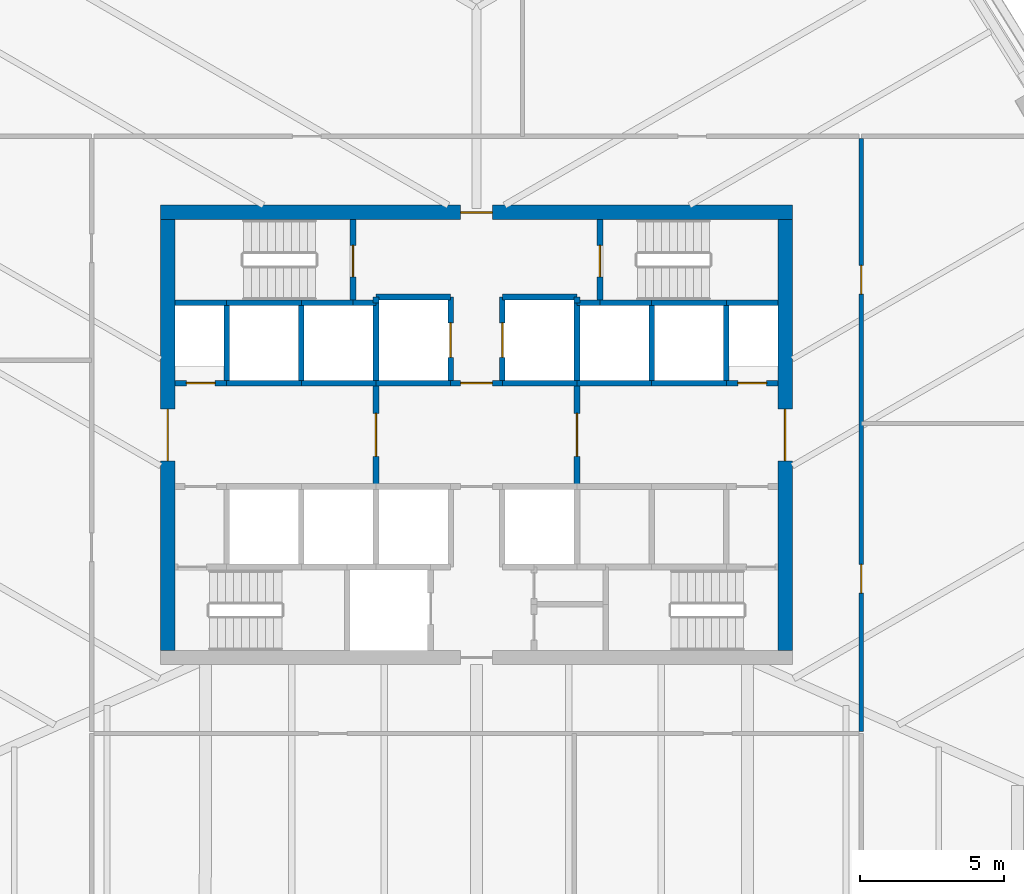
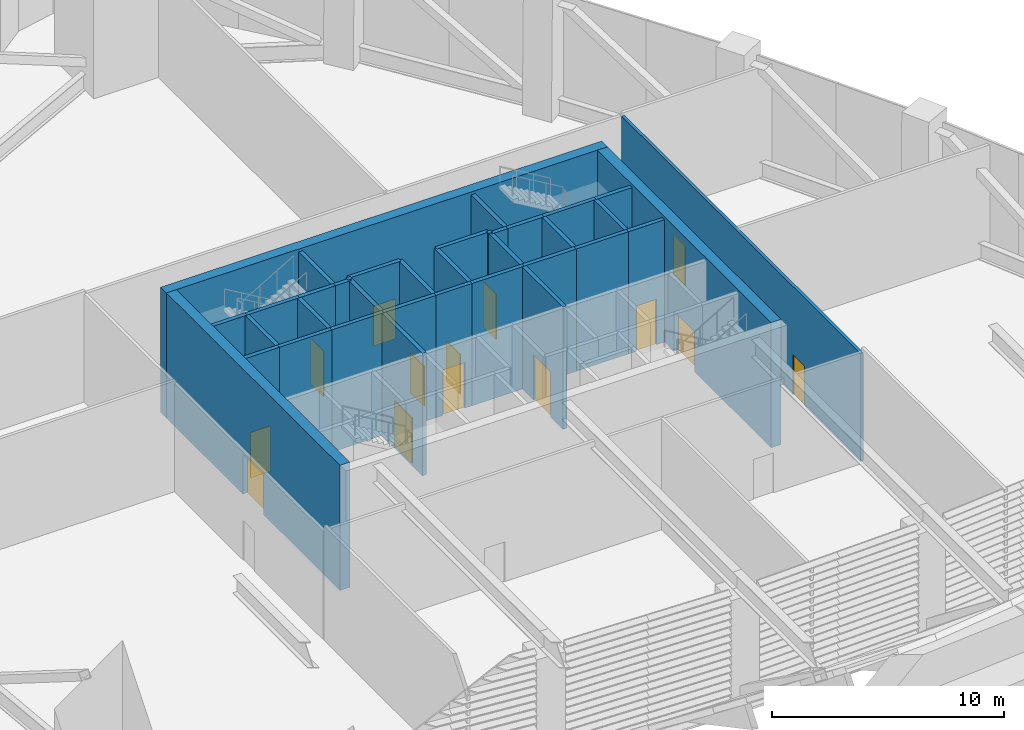
# One storey, part 5 of 15: 37 walls, 14 doors, 14 openings.
"""IFC4 building model written with IfcOpenShell, lengths in metres."""

from ifc_helpers import new_model, si_unit, direction, frame, frame_2d, origin, place, context, subcontext, project, spatial, rectangle, extrude, material, layer, layer_set, type_object, element, fill, save


model = new_model("IFC4")

# Units and contexts
model_context = context("Model", 3, precision=1e-05, world=origin(), true_north=direction((0.0, 1.0)))
body_context = subcontext(model_context, "Body", "Model", "MODEL_VIEW")
ifc_project = project(units=[si_unit("LENGTHUNIT", "METRE"), si_unit("AREAUNIT", "SQUARE_METRE"), si_unit("VOLUMEUNIT", "CUBIC_METRE"), si_unit("PLANEANGLEUNIT", "RADIAN"), si_unit("MASSUNIT", "GRAM", prefix="KILO")], contexts=[model_context])

# Site, building, storey
site_placement = place(None, origin())
site = spatial("IfcSite", under=ifc_project, at=site_placement, CompositionType="ELEMENT")
building_placement = place(site_placement, origin())
building = spatial("IfcBuilding", under=site, at=building_placement, Name="Sierra Prisma Convention Tower", CompositionType="ELEMENT")
storey_placement = place(building_placement, frame((0.0, 0.0, 34.199951171875)))
storey = spatial("IfcBuildingStorey", under=building, at=storey_placement, Name="L05", CompositionType="ELEMENT", Elevation=34.199951171875)

# Wall, opening, door
ifc_material_1 = material(Name="Concrete C30/37", Category="concrete")
ifc_layer_1 = layer(ifc_material_1, 0.199951171875)
ifc_layer_set_1 = layer_set([ifc_layer_1], Name="Core wall RC 200 C30/37")
wall_type_1 = type_object("IfcWallType", Name="Core wall RC 200 C30/37", PredefinedType="SOLIDWALL", material=ifc_layer_set_1)
wall_1_placement = place(storey_placement, frame((-8.699951171875, 1.800048828125, 0.0), z_axis=(0.0, 0.0, 1.0), x_axis=(-1.0, 0.0, 0.0)))
wall_1 = element("IfcWall", 1, at=wall_1_placement, inside=storey, type_object=wall_type_1, Name="Core wall L05 3", PredefinedType="SOLIDWALL", context=body_context, shape_type="SweptSolid", body=[
    extrude(rectangle(XDim=1.800048828125, YDim=0.199951171875, at=frame_2d((0.89990234375, 0.0))), origin(), (0.0, 0.0, 1.0), 6.449951171875),
])
opening_1_placement = place(wall_1_placement, frame((0.39990234375, 0.0, 0.0)))
opening_1 = element("IfcOpeningElement", 2, at=opening_1_placement, cuts=wall_1, Name="Opening L05-D010", PredefinedType="OPENING", context=body_context, shape_type="SweptSolid", body=[
    extrude(rectangle(XDim=1.0, YDim=2.39990234375, at=frame_2d((0.5, 1.199951171875))), frame((0.0, 0.10009765625, 0.0), z_axis=(0.0, -1.0, 0.0), x_axis=(1.0, 0.0, 0.0)), (0.0, 0.0, 1.0), 0.199951171875),
])
ifc_material_2 = material(Name="Steel fire door leaf", Category="steel")
door_type_1 = type_object("IfcDoorType", Name="Door 1000x2400 FD60S", OperationType="SINGLE_SWING_LEFT", PredefinedType="DOOR", material=ifc_material_2)
door_1_placement = place(opening_1_placement, origin())
door_1 = element("IfcDoor", 3, at=door_1_placement, inside=storey, type_object=door_type_1, Name="Door L05 18", OperationType="SINGLE_SWING_LEFT", OverallHeight=2.39990234375, OverallWidth=1.0, PredefinedType="DOOR", context=body_context, shape_type="SweptSolid", body=[
    extrude(rectangle(XDim=1.0, YDim=2.39990234375, at=frame_2d((0.5, 1.199951171875))), frame((0.0, 0.02490234375, 0.0), z_axis=(0.0, -1.0, 0.0), x_axis=(1.0, 0.0, 0.0)), (0.0, 0.0, 1.0), 0.050048828125),
])
fill(opening_1, door_1)

# Walls
wall_2_placement = place(storey_placement, frame((-8.699951171875, 4.60009765625, 0.0), z_axis=(0.0, 0.0, 1.0), x_axis=(-1.0, 0.0, 0.0)))
element("IfcWall", 4, at=wall_2_placement, inside=storey, type_object=wall_type_1, Name="Core wall L05 4", PredefinedType="SOLIDWALL", context=body_context, shape_type="SweptSolid", body=[
    extrude(rectangle(XDim=1.800048828125, YDim=0.199951171875, at=frame_2d((0.89990234375, 0.0))), origin(), (0.0, 0.0, 1.0), 6.449951171875),
])
wall_3_placement = place(storey_placement, frame((-6.10009765625, 1.800048828125, 0.0), z_axis=(0.0, 0.0, 1.0), x_axis=(-1.0, 0.0, 0.0)))
element("IfcWall", 5, at=wall_3_placement, inside=storey, type_object=wall_type_1, Name="Core wall L05 8", PredefinedType="SOLIDWALL", context=body_context, shape_type="SweptSolid", body=[
    extrude(rectangle(XDim=2.599853515625, YDim=0.199951171875, at=frame_2d((1.2998046875, 0.0))), origin(), (0.0, 0.0, 1.0), 6.449951171875),
])
wall_4_placement = place(storey_placement, frame((-8.699951171875, 1.800048828125, 0.0), z_axis=(0.0, 0.0, 1.0), x_axis=(0.0, 1.0, 0.0)))
element("IfcWall", 6, at=wall_4_placement, inside=storey, type_object=wall_type_1, Name="Core wall L05 9", PredefinedType="SOLIDWALL", context=body_context, shape_type="SweptSolid", body=[
    extrude(rectangle(XDim=2.800048828125, YDim=0.199951171875, at=frame_2d((1.39990234375, 0.0))), origin(), (0.0, 0.0, 1.0), 6.449951171875),
])
wall_5_placement = place(storey_placement, frame((-6.10009765625, 4.60009765625, 0.0), z_axis=(0.0, 0.0, 1.0), x_axis=(-1.0, 0.0, 0.0)))
element("IfcWall", 7, at=wall_5_placement, inside=storey, type_object=wall_type_1, Name="Core wall L05 10", PredefinedType="SOLIDWALL", context=body_context, shape_type="SweptSolid", body=[
    extrude(rectangle(XDim=2.599853515625, YDim=0.199951171875, at=frame_2d((1.2998046875, 0.0))), origin(), (0.0, 0.0, 1.0), 6.449951171875),
])
wall_6_placement = place(storey_placement, frame((-3.5, 1.800048828125, 0.0), z_axis=(0.0, 0.0, 1.0), x_axis=(-1.0, 0.0, 0.0)))
element("IfcWall", 8, at=wall_6_placement, inside=storey, type_object=wall_type_1, Name="Core wall L05 14", PredefinedType="SOLIDWALL", context=body_context, shape_type="SweptSolid", body=[
    extrude(rectangle(XDim=2.60009765625, YDim=0.199951171875, at=frame_2d((1.300048828125, 0.0))), origin(), (0.0, 0.0, 1.0), 6.449951171875),
])
wall_7_placement = place(storey_placement, frame((-6.10009765625, 1.800048828125, 0.0), z_axis=(0.0, 0.0, 1.0), x_axis=(0.0, 1.0, 0.0)))
element("IfcWall", 9, at=wall_7_placement, inside=storey, type_object=wall_type_1, Name="Core wall L05 15", PredefinedType="SOLIDWALL", context=body_context, shape_type="SweptSolid", body=[
    extrude(rectangle(XDim=2.800048828125, YDim=0.199951171875, at=frame_2d((1.39990234375, 0.0))), origin(), (0.0, 0.0, 1.0), 6.449951171875),
])
wall_8_placement = place(storey_placement, frame((-4.300048828125, 4.60009765625, 0.0), z_axis=(0.0, 0.0, 1.0), x_axis=(-1.0, 0.0, 0.0)))
element("IfcWall", 10, at=wall_8_placement, inside=storey, type_object=wall_type_1, Name="Core wall L05 16", PredefinedType="SOLIDWALL", context=body_context, shape_type="SweptSolid", body=[
    extrude(rectangle(XDim=1.800048828125, YDim=0.199951171875, at=frame_2d((0.89990234375, 0.0))), origin(), (0.0, 0.0, 1.0), 6.449951171875),
])
wall_9_placement = place(storey_placement, frame((-3.5, 4.60009765625, 0.0), z_axis=(0.0, 0.0, 1.0), x_axis=(-1.0, 0.0, 0.0)))
element("IfcWall", 11, at=wall_9_placement, inside=storey, type_object=wall_type_1, Name="Core wall L05 19", PredefinedType="SOLIDWALL", context=body_context, shape_type="SweptSolid", body=[
    extrude(rectangle(XDim=0.800048828125, YDim=0.199951171875, at=frame_2d((0.39990234375, 0.0))), origin(), (0.0, 0.0, 1.0), 6.449951171875),
])

# Wall, opening, door
wall_10_placement = place(storey_placement, frame((-4.300048828125, 4.60009765625, 0.0), z_axis=(0.0, 0.0, 1.0), x_axis=(0.0, 1.0, 0.0)))
wall_10 = element("IfcWall", 12, at=wall_10_placement, inside=storey, type_object=wall_type_1, Name="Core wall L05 20", PredefinedType="SOLIDWALL", context=body_context, shape_type="SweptSolid", body=[
    extrude(rectangle(XDim=2.89990234375, YDim=0.199951171875, at=frame_2d((1.449951171875, 0.0))), origin(), (0.0, 0.0, 1.0), 6.449951171875),
])
opening_2_placement = place(wall_10_placement, frame((0.89990234375, 0.0, 0.0)))
opening_2 = element("IfcOpeningElement", 13, at=opening_2_placement, cuts=wall_10, Name="Opening L05-D014", PredefinedType="OPENING", context=body_context, shape_type="SweptSolid", body=[
    extrude(rectangle(XDim=1.10009765625, YDim=2.39990234375, at=frame_2d((0.550048828125, 1.199951171875))), frame((0.0, 0.10009765625, 0.0), z_axis=(0.0, -1.0, 0.0), x_axis=(1.0, 0.0, 0.0)), (0.0, 0.0, 1.0), 0.199951171875),
])
ifc_material_3 = material(Name="Steel fire door leaf", Category="steel")
door_type_2 = type_object("IfcDoorType", Name="Door 1100x2400 FD90S", OperationType="SINGLE_SWING_LEFT", PredefinedType="DOOR", material=ifc_material_3)
door_2_placement = place(opening_2_placement, origin())
door_2 = element("IfcDoor", 14, at=door_2_placement, inside=storey, type_object=door_type_2, Name="Door L05 22", OperationType="SINGLE_SWING_RIGHT", OverallHeight=2.39990234375, OverallWidth=1.10009765625, PredefinedType="DOOR", context=body_context, shape_type="SweptSolid", body=[
    extrude(rectangle(XDim=1.10009765625, YDim=2.39990234375, at=frame_2d((0.550048828125, 1.199951171875))), frame((0.0, 0.02490234375, 0.0), z_axis=(0.0, -1.0, 0.0), x_axis=(1.0, 0.0, 0.0)), (0.0, 0.0, 1.0), 0.050048828125),
])
fill(opening_2, door_2)

wall_11_placement = place(storey_placement, frame((-3.5, 1.800048828125, 0.0), z_axis=(0.0, 0.0, 1.0), x_axis=(0.0, -1.0, 0.0)))
wall_11 = element("IfcWall", 15, at=wall_11_placement, inside=storey, type_object=wall_type_1, Name="Core wall L05 24", PredefinedType="SOLIDWALL", context=body_context, shape_type="SweptSolid", body=[
    extrude(rectangle(XDim=3.60009765625, YDim=0.199951171875, at=frame_2d((1.800048828125, 0.0))), origin(), (0.0, 0.0, 1.0), 6.449951171875),
])
opening_3_placement = place(wall_11_placement, frame((1.050048828125, 0.0, 0.0)))
opening_3 = element("IfcOpeningElement", 16, at=opening_3_placement, cuts=wall_11, Name="Opening L05-D004", PredefinedType="OPENING", context=body_context, shape_type="SweptSolid", body=[
    extrude(rectangle(XDim=1.5, YDim=2.39990234375, at=frame_2d((0.75, 1.199951171875))), frame((0.0, 0.10009765625, 0.0), z_axis=(0.0, -1.0, 0.0), x_axis=(1.0, 0.0, 0.0)), (0.0, 0.0, 1.0), 0.199951171875),
])
ifc_material_4 = material(Name="Steel fire door leaf", Category="steel")
door_type_3 = type_object("IfcDoorType", Name="Door 1500x2400 FD30S", OperationType="DOUBLE_DOOR_SINGLE_SWING", PredefinedType="DOOR", material=ifc_material_4)
door_3_placement = place(opening_3_placement, origin())
door_3 = element("IfcDoor", 17, at=door_3_placement, inside=storey, type_object=door_type_3, Name="Door L05 12", OperationType="DOUBLE_DOOR_SINGLE_SWING", OverallHeight=2.39990234375, OverallWidth=1.5, PredefinedType="DOOR", context=body_context, shape_type="SweptSolid", body=[
    extrude(rectangle(XDim=1.5, YDim=2.39990234375, at=frame_2d((0.75, 1.199951171875))), frame((0.0, 0.02490234375, 0.0), z_axis=(0.0, -1.0, 0.0), x_axis=(1.0, 0.0, 0.0)), (0.0, 0.0, 1.0), 0.050048828125),
])
fill(opening_3, door_3)

# Walls
wall_12_placement = place(storey_placement, frame((-0.89990234375, 1.800048828125, 0.0), z_axis=(0.0, 0.0, 1.0), x_axis=(-1.0, 0.0, 0.0)))
element("IfcWall", 18, at=wall_12_placement, inside=storey, type_object=wall_type_1, Name="Core wall L05 25", PredefinedType="SOLIDWALL", context=body_context, shape_type="SweptSolid", body=[
    extrude(rectangle(XDim=2.60009765625, YDim=0.199951171875, at=frame_2d((1.300048828125, 0.0))), origin(), (0.0, 0.0, 1.0), 6.449951171875),
])
wall_13_placement = place(storey_placement, frame((-3.5, 4.60009765625, 0.0), z_axis=(0.0, 0.0, 1.0), x_axis=(0.0, -1.0, 0.0)))
element("IfcWall", 19, at=wall_13_placement, inside=storey, type_object=wall_type_1, Name="Core wall L05 26", PredefinedType="SOLIDWALL", context=body_context, shape_type="SweptSolid", body=[
    extrude(rectangle(XDim=2.800048828125, YDim=0.199951171875, at=frame_2d((1.39990234375, 0.0))), origin(), (0.0, 0.0, 1.0), 6.449951171875),
])

# Wall, opening, door
wall_14_placement = place(storey_placement, frame((-0.89990234375, 1.800048828125, 0.0), z_axis=(0.0, 0.0, 1.0), x_axis=(0.0, 1.0, 0.0)))
wall_14 = element("IfcWall", 20, at=wall_14_placement, inside=storey, type_object=wall_type_1, Name="Core wall L05 27", PredefinedType="SOLIDWALL", context=body_context, shape_type="SweptSolid", body=[
    extrude(rectangle(XDim=3.0, YDim=0.199951171875, at=frame_2d((1.5, 0.0))), origin(), (0.0, 0.0, 1.0), 6.449951171875),
])
opening_4_placement = place(wall_14_placement, frame((0.89990234375, 0.0, 0.0)))
opening_4 = element("IfcOpeningElement", 21, at=opening_4_placement, cuts=wall_14, Name="Opening L05-D001", PredefinedType="OPENING", context=body_context, shape_type="SweptSolid", body=[
    extrude(rectangle(XDim=1.199951171875, YDim=2.10009765625, at=frame_2d((0.60009765625, 1.050048828125))), frame((0.0, 0.10009765625, 0.0), z_axis=(0.0, -1.0, 0.0), x_axis=(1.0, 0.0, 0.0)), (0.0, 0.0, 1.0), 0.199951171875),
])
ifc_material_5 = material(Name="Steel fire door leaf", Category="steel")
door_type_4 = type_object("IfcDoorType", Name="Door 1200x2100 EI 90 sliding lift landing", OperationType="SLIDING_TO_LEFT", PredefinedType="DOOR", material=ifc_material_5)
door_4_placement = place(opening_4_placement, origin())
door_4 = element("IfcDoor", 22, at=door_4_placement, inside=storey, type_object=door_type_4, Name="Door L05 9", OperationType="SLIDING_TO_LEFT", OverallHeight=2.10009765625, OverallWidth=1.199951171875, PredefinedType="DOOR", context=body_context, shape_type="SweptSolid", body=[
    extrude(rectangle(XDim=1.199951171875, YDim=2.10009765625, at=frame_2d((0.60009765625, 1.050048828125))), frame((0.0, 0.02490234375, 0.0), z_axis=(0.0, -1.0, 0.0), x_axis=(1.0, 0.0, 0.0)), (0.0, 0.0, 1.0), 0.050048828125),
])
fill(opening_4, door_4)

# Walls
wall_15_placement = place(storey_placement, frame((-0.89990234375, 4.800048828125, 0.0), z_axis=(0.0, 0.0, 1.0), x_axis=(-1.0, 0.0, 0.0)))
element("IfcWall", 23, at=wall_15_placement, inside=storey, type_object=wall_type_1, Name="Core wall L05 28", PredefinedType="SOLIDWALL", context=body_context, shape_type="SweptSolid", body=[
    extrude(rectangle(XDim=2.60009765625, YDim=0.199951171875, at=frame_2d((1.300048828125, 0.0))), origin(), (0.0, 0.0, 1.0), 6.449951171875),
])
wall_16_placement = place(storey_placement, frame((-3.5, 4.800048828125, 0.0), z_axis=(0.0, 0.0, 1.0), x_axis=(0.0, -1.0, 0.0)))
element("IfcWall", 24, at=wall_16_placement, inside=storey, type_object=wall_type_1, Name="Core wall L05 29", PredefinedType="SOLIDWALL", context=body_context, shape_type="SweptSolid", body=[
    extrude(rectangle(XDim=0.199951171875, YDim=0.199951171875, at=frame_2d((0.10009765625, 0.0))), origin(), (0.0, 0.0, 1.0), 6.449951171875),
])

# Wall, opening, door
wall_17_placement = place(storey_placement, frame((0.89990234375, 1.800048828125, 0.0), z_axis=(0.0, 0.0, 1.0), x_axis=(-1.0, 0.0, 0.0)))
wall_17 = element("IfcWall", 25, at=wall_17_placement, inside=storey, type_object=wall_type_1, Name="Core wall L05 34", PredefinedType="SOLIDWALL", context=body_context, shape_type="SweptSolid", body=[
    extrude(rectangle(XDim=1.7998046875, YDim=0.199951171875, at=frame_2d((0.89990234375, 0.0))), origin(), (0.0, 0.0, 1.0), 6.449951171875),
])
opening_5_placement = place(wall_17_placement, frame((0.35009765625, 0.0, 0.0)))
opening_5 = element("IfcOpeningElement", 26, at=opening_5_placement, cuts=wall_17, Name="Opening L05-D008", PredefinedType="OPENING", context=body_context, shape_type="SweptSolid", body=[
    extrude(rectangle(XDim=1.10009765625, YDim=2.39990234375, at=frame_2d((0.550048828125, 1.199951171875))), frame((0.0, 0.10009765625, 0.0), z_axis=(0.0, -1.0, 0.0), x_axis=(1.0, 0.0, 0.0)), (0.0, 0.0, 1.0), 0.199951171875),
])
ifc_material_6 = material(Name="Steel fire door leaf", Category="steel")
door_type_5 = type_object("IfcDoorType", Name="Door 1100x2400 FD60S", OperationType="SINGLE_SWING_LEFT", PredefinedType="DOOR", material=ifc_material_6)
door_5_placement = place(opening_5_placement, origin())
door_5 = element("IfcDoor", 27, at=door_5_placement, inside=storey, type_object=door_type_5, Name="Door L05 16", OperationType="SINGLE_SWING_RIGHT", OverallHeight=2.39990234375, OverallWidth=1.10009765625, PredefinedType="DOOR", context=body_context, shape_type="SweptSolid", body=[
    extrude(rectangle(XDim=1.10009765625, YDim=2.39990234375, at=frame_2d((0.550048828125, 1.199951171875))), frame((0.0, 0.02490234375, 0.0), z_axis=(0.0, -1.0, 0.0), x_axis=(1.0, 0.0, 0.0)), (0.0, 0.0, 1.0), 0.050048828125),
])
fill(opening_5, door_5)

# Walls
wall_18_placement = place(storey_placement, frame((3.5, 1.800048828125, 0.0), z_axis=(0.0, 0.0, 1.0), x_axis=(-1.0, 0.0, 0.0)))
element("IfcWall", 28, at=wall_18_placement, inside=storey, type_object=wall_type_1, Name="Core wall L05 38", PredefinedType="SOLIDWALL", context=body_context, shape_type="SweptSolid", body=[
    extrude(rectangle(XDim=2.60009765625, YDim=0.199951171875, at=frame_2d((1.300048828125, 0.0))), origin(), (0.0, 0.0, 1.0), 6.449951171875),
])
wall_19_placement = place(storey_placement, frame((3.5, 4.60009765625, 0.0), z_axis=(0.0, 0.0, 1.0), x_axis=(0.0, 1.0, 0.0)))
element("IfcWall", 29, at=wall_19_placement, inside=storey, type_object=wall_type_1, Name="Core wall L05 39", PredefinedType="SOLIDWALL", context=body_context, shape_type="SweptSolid", body=[
    extrude(rectangle(XDim=0.199951171875, YDim=0.199951171875, at=frame_2d((0.10009765625, 0.0))), origin(), (0.0, 0.0, 1.0), 6.449951171875),
])
wall_20_placement = place(storey_placement, frame((3.5, 4.800048828125, 0.0), z_axis=(0.0, 0.0, 1.0), x_axis=(-1.0, 0.0, 0.0)))
element("IfcWall", 30, at=wall_20_placement, inside=storey, type_object=wall_type_1, Name="Core wall L05 40", PredefinedType="SOLIDWALL", context=body_context, shape_type="SweptSolid", body=[
    extrude(rectangle(XDim=2.60009765625, YDim=0.199951171875, at=frame_2d((1.300048828125, 0.0))), origin(), (0.0, 0.0, 1.0), 6.449951171875),
])

# Wall, opening, door
wall_21_placement = place(storey_placement, frame((0.89990234375, 4.800048828125, 0.0), z_axis=(0.0, 0.0, 1.0), x_axis=(0.0, -1.0, 0.0)))
wall_21 = element("IfcWall", 31, at=wall_21_placement, inside=storey, type_object=wall_type_1, Name="Core wall L05 41", PredefinedType="SOLIDWALL", context=body_context, shape_type="SweptSolid", body=[
    extrude(rectangle(XDim=3.0, YDim=0.199951171875, at=frame_2d((1.5, 0.0))), origin(), (0.0, 0.0, 1.0), 6.449951171875),
])
opening_6_placement = place(wall_21_placement, frame((0.89990234375, 0.0, 0.0)))
opening_6 = element("IfcOpeningElement", 32, at=opening_6_placement, cuts=wall_21, Name="Opening L05-D002", PredefinedType="OPENING", context=body_context, shape_type="SweptSolid", body=[
    extrude(rectangle(XDim=1.199951171875, YDim=2.10009765625, at=frame_2d((0.60009765625, 1.050048828125))), frame((0.0, 0.10009765625, 0.0), z_axis=(0.0, -1.0, 0.0), x_axis=(1.0, 0.0, 0.0)), (0.0, 0.0, 1.0), 0.199951171875),
])
door_6_placement = place(opening_6_placement, origin())
door_6 = element("IfcDoor", 33, at=door_6_placement, inside=storey, type_object=door_type_4, Name="Door L05 10", OperationType="SLIDING_TO_RIGHT", OverallHeight=2.10009765625, OverallWidth=1.199951171875, PredefinedType="DOOR", context=body_context, shape_type="SweptSolid", body=[
    extrude(rectangle(XDim=1.199951171875, YDim=2.10009765625, at=frame_2d((0.60009765625, 1.050048828125))), frame((0.0, 0.02490234375, 0.0), z_axis=(0.0, -1.0, 0.0), x_axis=(1.0, 0.0, 0.0)), (0.0, 0.0, 1.0), 0.050048828125),
])
fill(opening_6, door_6)

wall_22_placement = place(storey_placement, frame((3.5, -1.800048828125, 0.0), z_axis=(0.0, 0.0, 1.0), x_axis=(0.0, 1.0, 0.0)))
wall_22 = element("IfcWall", 34, at=wall_22_placement, inside=storey, type_object=wall_type_1, Name="Core wall L05 49", PredefinedType="SOLIDWALL", context=body_context, shape_type="SweptSolid", body=[
    extrude(rectangle(XDim=3.60009765625, YDim=0.199951171875, at=frame_2d((1.800048828125, 0.0))), origin(), (0.0, 0.0, 1.0), 6.449951171875),
])
opening_7_placement = place(wall_22_placement, frame((1.050048828125, 0.0, 0.0)))
opening_7 = element("IfcOpeningElement", 35, at=opening_7_placement, cuts=wall_22, Name="Opening L05-D005", PredefinedType="OPENING", context=body_context, shape_type="SweptSolid", body=[
    extrude(rectangle(XDim=1.5, YDim=2.39990234375, at=frame_2d((0.75, 1.199951171875))), frame((0.0, 0.10009765625, 0.0), z_axis=(0.0, -1.0, 0.0), x_axis=(1.0, 0.0, 0.0)), (0.0, 0.0, 1.0), 0.199951171875),
])
door_7_placement = place(opening_7_placement, origin())
door_7 = element("IfcDoor", 36, at=door_7_placement, inside=storey, type_object=door_type_3, Name="Door L05 13", OperationType="DOUBLE_DOOR_SINGLE_SWING", OverallHeight=2.39990234375, OverallWidth=1.5, PredefinedType="DOOR", context=body_context, shape_type="SweptSolid", body=[
    extrude(rectangle(XDim=1.5, YDim=2.39990234375, at=frame_2d((0.75, 1.199951171875))), frame((0.0, 0.02490234375, 0.0), z_axis=(0.0, -1.0, 0.0), x_axis=(1.0, 0.0, 0.0)), (0.0, 0.0, 1.0), 0.050048828125),
])
fill(opening_7, door_7)

# Walls
wall_23_placement = place(storey_placement, frame((6.10009765625, 1.800048828125, 0.0), z_axis=(0.0, 0.0, 1.0), x_axis=(-1.0, 0.0, 0.0)))
element("IfcWall", 37, at=wall_23_placement, inside=storey, type_object=wall_type_1, Name="Core wall L05 50", PredefinedType="SOLIDWALL", context=body_context, shape_type="SweptSolid", body=[
    extrude(rectangle(XDim=2.60009765625, YDim=0.199951171875, at=frame_2d((1.300048828125, 0.0))), origin(), (0.0, 0.0, 1.0), 6.449951171875),
])
wall_24_placement = place(storey_placement, frame((3.5, 1.800048828125, 0.0), z_axis=(0.0, 0.0, 1.0), x_axis=(0.0, 1.0, 0.0)))
element("IfcWall", 38, at=wall_24_placement, inside=storey, type_object=wall_type_1, Name="Core wall L05 51", PredefinedType="SOLIDWALL", context=body_context, shape_type="SweptSolid", body=[
    extrude(rectangle(XDim=2.800048828125, YDim=0.199951171875, at=frame_2d((1.39990234375, 0.0))), origin(), (0.0, 0.0, 1.0), 6.449951171875),
])
wall_25_placement = place(storey_placement, frame((4.300048828125, 4.60009765625, 0.0), z_axis=(0.0, 0.0, 1.0), x_axis=(-1.0, 0.0, 0.0)))
element("IfcWall", 39, at=wall_25_placement, inside=storey, type_object=wall_type_1, Name="Core wall L05 52", PredefinedType="SOLIDWALL", context=body_context, shape_type="SweptSolid", body=[
    extrude(rectangle(XDim=0.800048828125, YDim=0.199951171875, at=frame_2d((0.39990234375, 0.0))), origin(), (0.0, 0.0, 1.0), 6.449951171875),
])
wall_26_placement = place(storey_placement, frame((6.10009765625, 4.60009765625, 0.0), z_axis=(0.0, 0.0, 1.0), x_axis=(-1.0, 0.0, 0.0)))
element("IfcWall", 40, at=wall_26_placement, inside=storey, type_object=wall_type_1, Name="Core wall L05 53", PredefinedType="SOLIDWALL", context=body_context, shape_type="SweptSolid", body=[
    extrude(rectangle(XDim=1.800048828125, YDim=0.199951171875, at=frame_2d((0.89990234375, 0.0))), origin(), (0.0, 0.0, 1.0), 6.449951171875),
])

# Wall, opening, door
wall_27_placement = place(storey_placement, frame((4.300048828125, 7.5, 0.0), z_axis=(0.0, 0.0, 1.0), x_axis=(0.0, -1.0, 0.0)))
wall_27 = element("IfcWall", 41, at=wall_27_placement, inside=storey, type_object=wall_type_1, Name="Core wall L05 54", PredefinedType="SOLIDWALL", context=body_context, shape_type="SweptSolid", body=[
    extrude(rectangle(XDim=2.89990234375, YDim=0.199951171875, at=frame_2d((1.449951171875, 0.0))), origin(), (0.0, 0.0, 1.0), 6.449951171875),
])
opening_8_placement = place(wall_27_placement, frame((0.89990234375, 0.0, 0.0)))
opening_8 = element("IfcOpeningElement", 42, at=opening_8_placement, cuts=wall_27, Name="Opening L05-D015", PredefinedType="OPENING", context=body_context, shape_type="SweptSolid", body=[
    extrude(rectangle(XDim=1.10009765625, YDim=2.39990234375, at=frame_2d((0.550048828125, 1.199951171875))), frame((0.0, 0.10009765625, 0.0), z_axis=(0.0, -1.0, 0.0), x_axis=(1.0, 0.0, 0.0)), (0.0, 0.0, 1.0), 0.199951171875),
])
door_8_placement = place(opening_8_placement, origin())
door_8 = element("IfcDoor", 43, at=door_8_placement, inside=storey, type_object=door_type_2, Name="Door L05 23", OperationType="SINGLE_SWING_LEFT", OverallHeight=2.39990234375, OverallWidth=1.10009765625, PredefinedType="DOOR", context=body_context, shape_type="SweptSolid", body=[
    extrude(rectangle(XDim=1.10009765625, YDim=2.39990234375, at=frame_2d((0.550048828125, 1.199951171875))), frame((0.0, 0.02490234375, 0.0), z_axis=(0.0, -1.0, 0.0), x_axis=(1.0, 0.0, 0.0)), (0.0, 0.0, 1.0), 0.050048828125),
])
fill(opening_8, door_8)

# Walls
wall_28_placement = place(storey_placement, frame((8.699951171875, 1.800048828125, 0.0), z_axis=(0.0, 0.0, 1.0), x_axis=(-1.0, 0.0, 0.0)))
element("IfcWall", 44, at=wall_28_placement, inside=storey, type_object=wall_type_1, Name="Core wall L05 61", PredefinedType="SOLIDWALL", context=body_context, shape_type="SweptSolid", body=[
    extrude(rectangle(XDim=2.599853515625, YDim=0.199951171875, at=frame_2d((1.2998046875, 0.0))), origin(), (0.0, 0.0, 1.0), 6.449951171875),
])
wall_29_placement = place(storey_placement, frame((6.10009765625, 1.800048828125, 0.0), z_axis=(0.0, 0.0, 1.0), x_axis=(0.0, 1.0, 0.0)))
element("IfcWall", 45, at=wall_29_placement, inside=storey, type_object=wall_type_1, Name="Core wall L05 62", PredefinedType="SOLIDWALL", context=body_context, shape_type="SweptSolid", body=[
    extrude(rectangle(XDim=2.800048828125, YDim=0.199951171875, at=frame_2d((1.39990234375, 0.0))), origin(), (0.0, 0.0, 1.0), 6.449951171875),
])
wall_30_placement = place(storey_placement, frame((8.699951171875, 4.60009765625, 0.0), z_axis=(0.0, 0.0, 1.0), x_axis=(-1.0, 0.0, 0.0)))
element("IfcWall", 46, at=wall_30_placement, inside=storey, type_object=wall_type_1, Name="Core wall L05 63", PredefinedType="SOLIDWALL", context=body_context, shape_type="SweptSolid", body=[
    extrude(rectangle(XDim=2.599853515625, YDim=0.199951171875, at=frame_2d((1.2998046875, 0.0))), origin(), (0.0, 0.0, 1.0), 6.449951171875),
])

# Wall, opening, door
wall_31_placement = place(storey_placement, frame((10.5, 1.800048828125, 0.0), z_axis=(0.0, 0.0, 1.0), x_axis=(-1.0, 0.0, 0.0)))
wall_31 = element("IfcWall", 47, at=wall_31_placement, inside=storey, type_object=wall_type_1, Name="Core wall L05 67", PredefinedType="SOLIDWALL", context=body_context, shape_type="SweptSolid", body=[
    extrude(rectangle(XDim=1.800048828125, YDim=0.199951171875, at=frame_2d((0.89990234375, 0.0))), origin(), (0.0, 0.0, 1.0), 6.449951171875),
])
opening_9_placement = place(wall_31_placement, frame((0.39990234375, 0.0, 0.0)))
opening_9 = element("IfcOpeningElement", 48, at=opening_9_placement, cuts=wall_31, Name="Opening L05-D011", PredefinedType="OPENING", context=body_context, shape_type="SweptSolid", body=[
    extrude(rectangle(XDim=1.0, YDim=2.39990234375, at=frame_2d((0.5, 1.199951171875))), frame((0.0, 0.10009765625, 0.0), z_axis=(0.0, -1.0, 0.0), x_axis=(1.0, 0.0, 0.0)), (0.0, 0.0, 1.0), 0.199951171875),
])
door_9_placement = place(opening_9_placement, origin())
door_9 = element("IfcDoor", 49, at=door_9_placement, inside=storey, type_object=door_type_1, Name="Door L05 19", OperationType="SINGLE_SWING_RIGHT", OverallHeight=2.39990234375, OverallWidth=1.0, PredefinedType="DOOR", context=body_context, shape_type="SweptSolid", body=[
    extrude(rectangle(XDim=1.0, YDim=2.39990234375, at=frame_2d((0.5, 1.199951171875))), frame((0.0, 0.02490234375, 0.0), z_axis=(0.0, -1.0, 0.0), x_axis=(1.0, 0.0, 0.0)), (0.0, 0.0, 1.0), 0.050048828125),
])
fill(opening_9, door_9)

# Walls
wall_32_placement = place(storey_placement, frame((8.699951171875, 4.60009765625, 0.0), z_axis=(0.0, 0.0, 1.0), x_axis=(0.0, -1.0, 0.0)))
element("IfcWall", 50, at=wall_32_placement, inside=storey, type_object=wall_type_1, Name="Core wall L05 68", PredefinedType="SOLIDWALL", context=body_context, shape_type="SweptSolid", body=[
    extrude(rectangle(XDim=2.800048828125, YDim=0.199951171875, at=frame_2d((1.39990234375, 0.0))), origin(), (0.0, 0.0, 1.0), 6.449951171875),
])
wall_33_placement = place(storey_placement, frame((10.5, 4.60009765625, 0.0), z_axis=(0.0, 0.0, 1.0), x_axis=(-1.0, 0.0, 0.0)))
element("IfcWall", 51, at=wall_33_placement, inside=storey, type_object=wall_type_1, Name="Core wall L05 69", PredefinedType="SOLIDWALL", context=body_context, shape_type="SweptSolid", body=[
    extrude(rectangle(XDim=1.800048828125, YDim=0.199951171875, at=frame_2d((0.89990234375, 0.0))), origin(), (0.0, 0.0, 1.0), 6.449951171875),
])

# Wall, opening, door
ifc_material_7 = material(Name="Concrete C70/85", Category="concrete")
ifc_layer_2 = layer(ifc_material_7, 0.5)
ifc_layer_set_2 = layer_set([ifc_layer_2], Name="Core wall RC 500 C70/85")
wall_type_2 = type_object("IfcWallType", Name="Core wall RC 500 C70/85", PredefinedType="SHEAR", material=ifc_layer_set_2)
wall_34_placement = place(storey_placement, frame((-11.0, 7.75, 0.0), z_axis=(0.0, 0.0, 1.0), x_axis=(1.0, 0.0, 0.0)))
wall_34 = element("IfcWall", 52, at=wall_34_placement, inside=storey, type_object=wall_type_2, Name="Core wall N L05", PredefinedType="SHEAR", context=body_context, shape_type="SweptSolid", body=[
    extrude(rectangle(XDim=22.0, YDim=0.5, at=frame_2d((11.0, 0.0))), origin(), (0.0, 0.0, 1.0), 6.60009765625),
])
opening_10_placement = place(wall_34_placement, frame((10.449951171875, 0.0, 0.0)))
opening_10 = element("IfcOpeningElement", 53, at=opening_10_placement, cuts=wall_34, Name="Opening L05-D027", PredefinedType="OPENING", context=body_context, shape_type="SweptSolid", body=[
    extrude(rectangle(XDim=1.10009765625, YDim=2.10009765625, at=frame_2d((0.550048828125, 1.050048828125))), frame((0.0, 0.25, 0.0), z_axis=(0.0, -1.0, 0.0), x_axis=(1.0, 0.0, 0.0)), (0.0, 0.0, 1.0), 0.5),
])
ifc_material_8 = material(Name="Steel fire door leaf", Category="steel")
door_type_6 = type_object("IfcDoorType", Name="Door 1100x2100 FD60S", OperationType="SINGLE_SWING_LEFT", PredefinedType="DOOR", material=ifc_material_8)
door_10_placement = place(opening_10_placement, origin())
door_10 = element("IfcDoor", 54, at=door_10_placement, inside=storey, type_object=door_type_6, Name="Door L05 28", OperationType="SINGLE_SWING_RIGHT", OverallHeight=2.10009765625, OverallWidth=1.10009765625, PredefinedType="DOOR", context=body_context, shape_type="SweptSolid", body=[
    extrude(rectangle(XDim=1.10009765625, YDim=2.10009765625, at=frame_2d((0.550048828125, 1.050048828125))), frame((0.0, 0.02490234375, 0.0), z_axis=(0.0, -1.0, 0.0), x_axis=(1.0, 0.0, 0.0)), (0.0, 0.0, 1.0), 0.050048828125),
])
fill(opening_10, door_10)

wall_35_placement = place(storey_placement, frame((-10.75, -7.5, 0.0), z_axis=(0.0, 0.0, 1.0), x_axis=(0.0, 1.0, 0.0)))
wall_35 = element("IfcWall", 55, at=wall_35_placement, inside=storey, type_object=wall_type_2, Name="Core wall W L05", PredefinedType="SHEAR", context=body_context, shape_type="SweptSolid", body=[
    extrude(rectangle(XDim=15.0, YDim=0.5, at=frame_2d((7.5, 0.0))), origin(), (0.0, 0.0, 1.0), 6.60009765625),
])
opening_11_placement = place(wall_35_placement, frame((6.60009765625, 0.0, 0.0)))
opening_11 = element("IfcOpeningElement", 56, at=opening_11_placement, cuts=wall_35, Name="Opening L05-D029", PredefinedType="OPENING", context=body_context, shape_type="SweptSolid", body=[
    extrude(rectangle(XDim=1.800048828125, YDim=2.10009765625, at=frame_2d((0.89990234375, 1.050048828125))), frame((0.0, 0.25, 0.0), z_axis=(0.0, -1.0, 0.0), x_axis=(1.0, 0.0, 0.0)), (0.0, 0.0, 1.0), 0.5),
])
ifc_material_9 = material(Name="Steel fire door leaf", Category="steel")
door_type_7 = type_object("IfcDoorType", Name="Door 1800x2100 FD60S", OperationType="DOUBLE_DOOR_SINGLE_SWING", PredefinedType="DOOR", material=ifc_material_9)
door_11_placement = place(opening_11_placement, origin())
door_11 = element("IfcDoor", 57, at=door_11_placement, inside=storey, type_object=door_type_7, Name="Door L05 26", OperationType="DOUBLE_DOOR_SINGLE_SWING", OverallHeight=2.10009765625, OverallWidth=1.800048828125, PredefinedType="DOOR", context=body_context, shape_type="SweptSolid", body=[
    extrude(rectangle(XDim=1.800048828125, YDim=2.10009765625, at=frame_2d((0.89990234375, 1.050048828125))), frame((0.0, 0.02490234375, 0.0), z_axis=(0.0, -1.0, 0.0), x_axis=(1.0, 0.0, 0.0)), (0.0, 0.0, 1.0), 0.050048828125),
])
fill(opening_11, door_11)

wall_36_placement = place(storey_placement, frame((10.75, -7.5, 0.0), z_axis=(0.0, 0.0, 1.0), x_axis=(0.0, 1.0, 0.0)))
wall_36 = element("IfcWall", 58, at=wall_36_placement, inside=storey, type_object=wall_type_2, Name="Core wall E L05", PredefinedType="SHEAR", context=body_context, shape_type="SweptSolid", body=[
    extrude(rectangle(XDim=15.0, YDim=0.5, at=frame_2d((7.5, 0.0))), origin(), (0.0, 0.0, 1.0), 6.60009765625),
])
opening_12_placement = place(wall_36_placement, frame((6.60009765625, 0.0, 0.0)))
opening_12 = element("IfcOpeningElement", 59, at=opening_12_placement, cuts=wall_36, Name="Opening L05-D026", PredefinedType="OPENING", context=body_context, shape_type="SweptSolid", body=[
    extrude(rectangle(XDim=1.800048828125, YDim=2.10009765625, at=frame_2d((0.89990234375, 1.050048828125))), frame((0.0, 0.25, 0.0), z_axis=(0.0, -1.0, 0.0), x_axis=(1.0, 0.0, 0.0)), (0.0, 0.0, 1.0), 0.5),
])
door_12_placement = place(opening_12_placement, origin())
door_12 = element("IfcDoor", 60, at=door_12_placement, inside=storey, type_object=door_type_7, Name="Door L05 27", OperationType="DOUBLE_DOOR_SINGLE_SWING", OverallHeight=2.10009765625, OverallWidth=1.800048828125, PredefinedType="DOOR", context=body_context, shape_type="SweptSolid", body=[
    extrude(rectangle(XDim=1.800048828125, YDim=2.10009765625, at=frame_2d((0.89990234375, 1.050048828125))), frame((0.0, 0.02490234375, 0.0), z_axis=(0.0, -1.0, 0.0), x_axis=(1.0, 0.0, 0.0)), (0.0, 0.0, 1.0), 0.050048828125),
])
fill(opening_12, door_12)

# Wall, openings, doors
ifc_material_10 = material(Name="Gypsum board partition", Category="gypsum")
ifc_layer_3 = layer(ifc_material_10, 0.14990234375)
ifc_layer_set_3 = layer_set([ifc_layer_3], Name="Corridor wall 150 gypsum EI 60")
wall_type_3 = type_object("IfcWallType", Name="Corridor wall 150 gypsum EI 60", PredefinedType="PARTITIONING", material=ifc_layer_set_3)
wall_37_placement = place(storey_placement, frame((13.39990234375, -10.320068359375, 0.0), z_axis=(0.0, 0.0, 1.0), x_axis=(0.0, 1.0, 0.0)))
wall_37 = element("IfcWall", 61, at=wall_37_placement, inside=storey, type_object=wall_type_3, Name="Partition L05 corr 4", PredefinedType="PARTITIONING", context=body_context, shape_type="SweptSolid", body=[
    extrude(rectangle(XDim=20.64013671875, YDim=0.14990234375, at=frame_2d((10.320068359375, 0.0))), origin(), (0.0, 0.0, 1.0), 5.697021484375),
])
opening_13_placement = place(wall_37_placement, frame((15.219970703125, 0.0, 0.0)))
opening_13 = element("IfcOpeningElement", 62, at=opening_13_placement, cuts=wall_37, Name="Opening L05-D018", PredefinedType="OPENING", context=body_context, shape_type="SweptSolid", body=[
    extrude(rectangle(XDim=1.0, YDim=2.10009765625, at=frame_2d((0.5, 1.050048828125))), frame((0.0, 0.074951171875, 0.0), z_axis=(0.0, -1.0, 0.0), x_axis=(1.0, 0.0, 0.0)), (0.0, 0.0, 1.0), 0.14990234375),
])
opening_14_placement = place(wall_37_placement, frame((4.81005859375, 0.0, 0.0)))
opening_14 = element("IfcOpeningElement", 63, at=opening_14_placement, cuts=wall_37, Name="Opening L05-D025", PredefinedType="OPENING", context=body_context, shape_type="SweptSolid", body=[
    extrude(rectangle(XDim=1.0, YDim=2.10009765625, at=frame_2d((0.5, 1.050048828125))), frame((0.0, 0.074951171875, 0.0), z_axis=(0.0, -1.0, 0.0), x_axis=(1.0, 0.0, 0.0)), (0.0, 0.0, 1.0), 0.14990234375),
])
ifc_material_11 = material(Name="Steel fire door leaf", Category="steel")
door_type_8 = type_object("IfcDoorType", Name="Door 1000x2100 FD60S", OperationType="SINGLE_SWING_LEFT", PredefinedType="DOOR", material=ifc_material_11)
door_13_placement = place(opening_13_placement, origin())
door_13 = element("IfcDoor", 64, at=door_13_placement, inside=storey, type_object=door_type_8, Name="Door L05 1", OperationType="SINGLE_SWING_RIGHT", OverallHeight=2.10009765625, OverallWidth=1.0, PredefinedType="DOOR", context=body_context, shape_type="SweptSolid", body=[
    extrude(rectangle(XDim=1.0, YDim=2.10009765625, at=frame_2d((0.5, 1.050048828125))), frame((0.0, 0.02490234375, 0.0), z_axis=(0.0, -1.0, 0.0), x_axis=(1.0, 0.0, 0.0)), (0.0, 0.0, 1.0), 0.050048828125),
])
fill(opening_13, door_13)
door_14_placement = place(opening_14_placement, origin())
door_14 = element("IfcDoor", 65, at=door_14_placement, inside=storey, type_object=door_type_8, Name="Door L05 8", OperationType="SINGLE_SWING_RIGHT", OverallHeight=2.10009765625, OverallWidth=1.0, PredefinedType="DOOR", context=body_context, shape_type="SweptSolid", body=[
    extrude(rectangle(XDim=1.0, YDim=2.10009765625, at=frame_2d((0.5, 1.050048828125))), frame((0.0, 0.02490234375, 0.0), z_axis=(0.0, -1.0, 0.0), x_axis=(1.0, 0.0, 0.0)), (0.0, 0.0, 1.0), 0.050048828125),
])
fill(opening_14, door_14)

save(model, "model.ifc")
